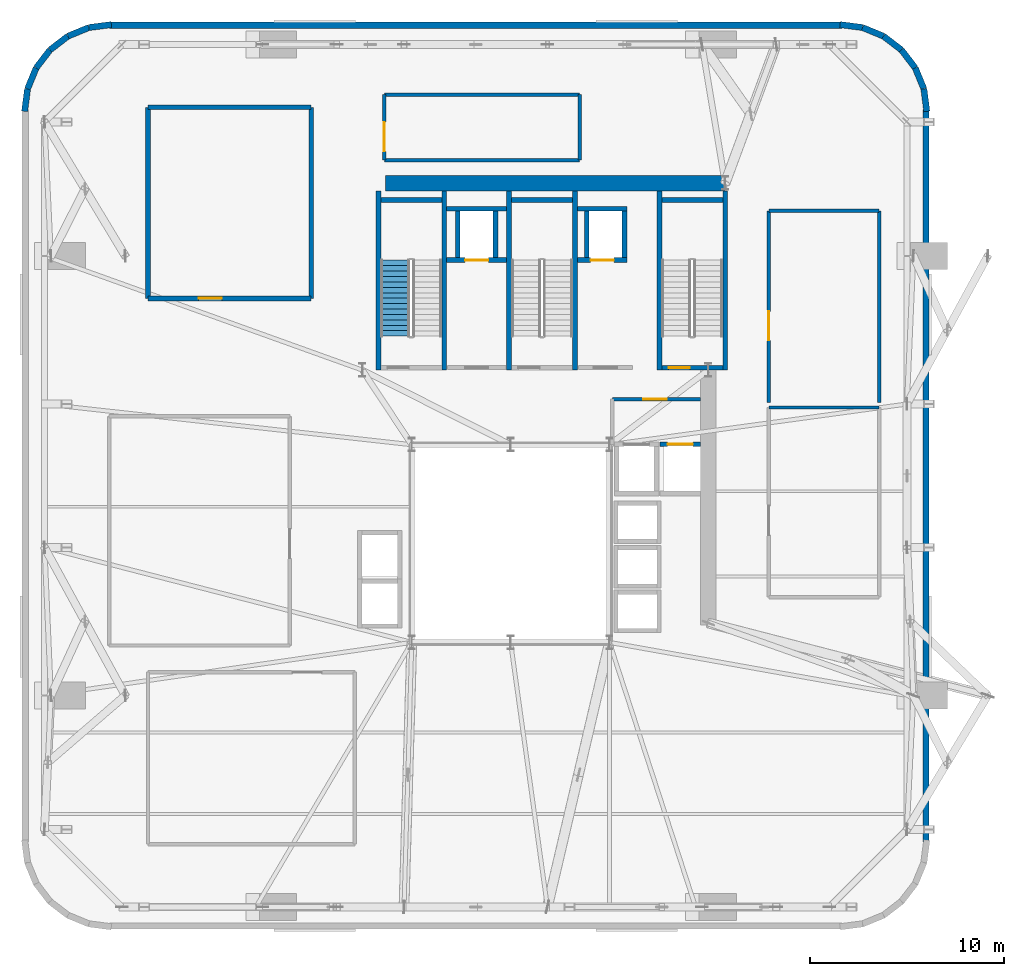
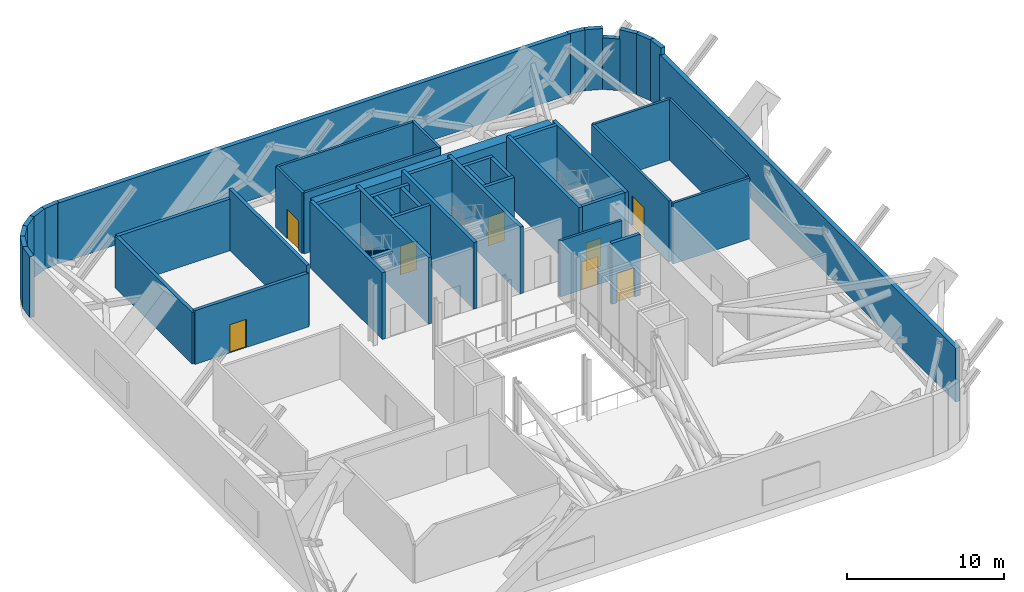
# One storey, part 10 of 14: 47 walls, 8 doors, 1 stair flight, 8 openings, 1 element without a shape of its own.
"""IFC4 building model written with IfcOpenShell, lengths in metres."""

import ifcopenshell
import ifcopenshell.guid

model = None  # the IFC model being written
_history = None  # IfcOwnerHistory: only IFC2X3 demands one
_inside = {}  # id of a spatial element -> (the spatial element, [elements in it])
_under = {}  # id of a project, library or spatial element -> (it, [spatial elements below it])
_declared = {}  # id of a project -> (the project, [libraries it declares])
_typed = {}  # id of a type object -> (the type object, [elements of that type])
_made_of = {}  # id of a material, layer set ... -> (it, [elements and type objects made of it])


def new_model(schema):
    """Start an empty IFC model of exactly this schema.

    Asked for "IFC4X3", IfcOpenShell would pick the latest addendum, in which some entities
    have other attributes; the version numbers below select the first issue.
    IFC2X3 requires an IfcOwnerHistory on every rooted entity: one is made here for all.
    """
    global model, _history
    if schema == "IFC4X3":
        model = ifcopenshell.file(schema_version=(4, 3, 0, 0))
    else:
        model = ifcopenshell.file(schema=schema)
    _inside.clear()
    _under.clear()
    _declared.clear()
    _typed.clear()
    _made_of.clear()
    _history = None
    if model.schema == "IFC2X3":
        org = make("IfcOrganization", Name="unknown")
        user = make(
            "IfcPersonAndOrganization",
            ThePerson=make("IfcPerson", FamilyName="unknown"),
            TheOrganization=org,
        )
        app = make(
            "IfcApplication",
            ApplicationDeveloper=org,
            Version="unknown",
            ApplicationFullName="unknown",
            ApplicationIdentifier="unknown",
        )
        _history = make(
            "IfcOwnerHistory",
            OwningUser=user,
            OwningApplication=app,
            ChangeAction="ADDED",
            CreationDate=0,
        )
    return model


def make(cls, **values):
    """One entity of the class cls with the attributes given. An attribute that is None is left unset."""
    return model.create_entity(
        cls, **{name: value for name, value in values.items() if value is not None}
    )


def rooted(cls, **values):
    """An entity with a GlobalId (a new one), such as an element, a storey or a relation."""
    return make(cls, GlobalId=ifcopenshell.guid.new(), OwnerHistory=_history, **values)


def si_unit(unit_type, name, prefix=None):
    """IfcSIUnit, for example si_unit("LENGTHUNIT", "METRE", prefix="MILLI")."""
    return make("IfcSIUnit", UnitType=unit_type, Prefix=prefix, Name=name)


def assignment(units):
    """IfcUnitAssignment: the units of a project."""
    return None if units is None else make("IfcUnitAssignment", Units=units)


def point(xyz):
    """IfcCartesianPoint."""
    return None if xyz is None else make("IfcCartesianPoint", Coordinates=xyz)


def direction(xyz):
    """IfcDirection."""
    return None if xyz is None else make("IfcDirection", DirectionRatios=xyz)


def frame(location, z_axis=None, x_axis=None):
    """IfcAxis2Placement3D, a coordinate frame: its origin and axes. An axis left out is left unset."""
    return make(
        "IfcAxis2Placement3D",
        Location=point(location),
        Axis=direction(z_axis),
        RefDirection=direction(x_axis),
    )


def frame_2d(location, x_axis=None):
    """IfcAxis2Placement2D, a coordinate frame in the plane: its origin and x axis."""
    return make(
        "IfcAxis2Placement2D", Location=point(location), RefDirection=direction(x_axis)
    )


def origin():
    """The frame at (0, 0, 0) with its axes left unset."""
    return frame((0.0, 0.0, 0.0))


def place(relative_to, where):
    """IfcLocalPlacement: puts the frame where relative to a parent placement (None: the world)."""
    return make(
        "IfcLocalPlacement", PlacementRelTo=relative_to, RelativePlacement=where
    )


def context(
    kind, dimensions, precision=None, world=None, true_north=None, identifier=None
):
    """IfcGeometricRepresentationContext, for example the 3D "Model" context."""
    return make(
        "IfcGeometricRepresentationContext",
        ContextIdentifier=identifier,
        ContextType=kind,
        CoordinateSpaceDimension=dimensions,
        Precision=precision,
        WorldCoordinateSystem=world,
        TrueNorth=true_north,
    )


def subcontext(parent, identifier, kind, view, scale=None):
    """IfcGeometricRepresentationSubContext, for example "Body" below "Model"."""
    return make(
        "IfcGeometricRepresentationSubContext",
        ContextIdentifier=identifier,
        ContextType=kind,
        ParentContext=parent,
        TargetScale=scale,
        TargetView=view,
    )


def project(units=None, contexts=None):
    """IfcProject with its units and contexts."""
    return rooted(
        "IfcProject",
        Name="project",
        RepresentationContexts=contexts,
        UnitsInContext=assignment(units),
    )


def spatial(cls, under=None, at=None, **own):
    """A site, building, storey or space (cls), placed at a placement, below another one or the project."""
    s = rooted(cls, ObjectPlacement=at, **own)
    if under is not None:
        _under.setdefault(under.id(), (under, []))[1].append(s)
    return s


def polyline(points):
    """IfcPolyline through the points."""
    return make("IfcPolyline", Points=[point(p) for p in points])


def profile(cls, at=None, kind="AREA", **sizes):
    """A parametric profile (cls). Its sizes go by their IFC names, for example OverallWidth=200.0."""
    return make(cls, ProfileType=kind, Position=at, **sizes)


def rectangle(**sizes):
    """IfcRectangleProfileDef."""
    return profile("IfcRectangleProfileDef", **sizes)


def outline(outer, holes=None, kind="AREA"):
    """IfcArbitraryClosedProfileDef: a profile drawn as a closed curve; with holes, ...WithVoids."""
    if holes is None:
        return make("IfcArbitraryClosedProfileDef", ProfileType=kind, OuterCurve=outer)
    return make(
        "IfcArbitraryProfileDefWithVoids",
        ProfileType=kind,
        OuterCurve=outer,
        InnerCurves=holes,
    )


def extrude(swept, where, along, depth):
    """IfcExtrudedAreaSolid: the profile swept, set in the frame where, extruded along a direction by depth."""
    return make(
        "IfcExtrudedAreaSolid",
        SweptArea=swept,
        Position=where,
        ExtrudedDirection=direction(along),
        Depth=depth,
    )


def shape(context_of_items, identifier, shape_type, items):
    """IfcShapeRepresentation: the items that make up one representation, for example the "Body"."""
    return make(
        "IfcShapeRepresentation",
        ContextOfItems=context_of_items,
        RepresentationIdentifier=identifier,
        RepresentationType=shape_type,
        Items=items,
    )


def source(mapping_origin, context_of_items, identifier, shape_type, items):
    """IfcRepresentationMap: a shape defined once, which mapped items show again and again."""
    return make(
        "IfcRepresentationMap",
        MappingOrigin=mapping_origin,
        MappedRepresentation=shape(context_of_items, identifier, shape_type, items),
    )


def transform(
    local_origin,
    x_axis=None,
    y_axis=None,
    z_axis=None,
    scale=None,
    scale2=None,
    scale3=None,
    uniform=True,
):
    """IfcCartesianTransformationOperator3D, or its non-uniform kind. x_axis, y_axis, z_axis: its Axis1, 2, 3."""
    if uniform:
        return make(
            "IfcCartesianTransformationOperator3D",
            Axis1=direction(x_axis),
            Axis2=direction(y_axis),
            LocalOrigin=point(local_origin),
            Scale=scale,
            Axis3=direction(z_axis),
        )
    return make(
        "IfcCartesianTransformationOperator3DnonUniform",
        Axis1=direction(x_axis),
        Axis2=direction(y_axis),
        LocalOrigin=point(local_origin),
        Scale=scale,
        Axis3=direction(z_axis),
        Scale2=scale2,
        Scale3=scale3,
    )


def mapped(mapping_source, mapping_target):
    """IfcMappedItem: shows the shape of a source again, moved by a transform."""
    return make(
        "IfcMappedItem", MappingSource=mapping_source, MappingTarget=mapping_target
    )


def material(Name=None, Category=None):
    """IfcMaterial."""
    return make("IfcMaterial", Name=Name, Category=Category)


def layer(
    of_material, thickness, ventilated=None, Name=None, Category=None, Priority=None
):
    """IfcMaterialLayer: one layer of a wall or slab, of a material (None: an air gap)."""
    return make(
        "IfcMaterialLayer",
        Material=of_material,
        LayerThickness=thickness,
        IsVentilated=ventilated,
        Name=Name,
        Category=Category,
        Priority=Priority,
    )


def layer_set(layers, Name=None):
    """IfcMaterialLayerSet."""
    return make("IfcMaterialLayerSet", MaterialLayers=layers, LayerSetName=Name)


def made_of(thing, what):
    """Note that an element or type object is made of a material, layer set ...; save() writes the relation."""
    if what is not None:
        _made_of.setdefault(what.id(), (what, []))[1].append(thing)
    return thing


def type_object(cls, material=None, **own):
    """A type object (cls), such as IfcWallType, which elements share."""
    return made_of(rooted(cls, **own), material)


def element(
    cls,
    number,
    at=None,
    inside=None,
    cuts=None,
    type_object=None,
    material=None,
    context=None,
    identifier="Body",
    shape_type=None,
    held_by="IfcProductDefinitionShape",
    body=None,
    shapes=None,
    **own,
):
    """One element of the class cls, such as IfcWall. Its Tag is "e" and its number.

    at: its placement. inside: the storey or other place that contains it. cuts: it is an
    opening in that element (IfcRelVoidsElement). A single representation is given by context,
    identifier, shape_type and body (its items); several are given by shapes. held_by: the class
    of the entity that holds the representations. save() writes the other relations.
    """
    e = rooted(cls, Tag="e%d" % number, ObjectPlacement=at, **own)
    if body is not None:
        shapes = [shape(context, identifier, shape_type, body)]
    if shapes is not None:
        e.Representation = make(held_by, Representations=shapes)
    if inside is not None:
        _inside.setdefault(inside.id(), (inside, []))[1].append(e)
    if cuts is not None:
        rooted(
            "IfcRelVoidsElement", RelatingBuildingElement=cuts, RelatedOpeningElement=e
        )
    if type_object is not None:
        _typed.setdefault(type_object.id(), (type_object, []))[1].append(e)
    return made_of(e, material)


def fill(opening, filler):
    """IfcRelFillsElement: the door or window that sits in an opening."""
    return rooted(
        "IfcRelFillsElement",
        RelatingOpeningElement=opening,
        RelatedBuildingElement=filler,
    )


def aggregate(whole, parts):
    """IfcRelAggregates: a whole, such as a stair, and the parts it consists of."""
    return rooted("IfcRelAggregates", RelatingObject=whole, RelatedObjects=parts)


def save(model, path):
    """Write the relations noted so far, then the file.

    IfcRelAggregates (storeys below a building ...), IfcRelContainedInSpatialStructure (elements
    in a storey), IfcRelDefinesByType, IfcRelAssociatesMaterial and IfcRelDeclares: one each for
    every whole, place, type object, material and project.
    """
    for whole, parts in _under.values():
        aggregate(whole, parts)
    for where, things in _inside.values():
        rooted(
            "IfcRelContainedInSpatialStructure",
            RelatedElements=things,
            RelatingStructure=where,
        )
    for kind, things in _typed.values():
        rooted("IfcRelDefinesByType", RelatedObjects=things, RelatingType=kind)
    for what, things in _made_of.values():
        rooted("IfcRelAssociatesMaterial", RelatedObjects=things, RelatingMaterial=what)
    for by, libraries in _declared.values():
        rooted("IfcRelDeclares", RelatingContext=by, RelatedDefinitions=libraries)
    model.write(path)


model = new_model("IFC4")

# Units and contexts
model_context = context("Model", 3, precision=1e-05, world=origin(), true_north=direction((0.0, 1.0)))
body_context = subcontext(model_context, "Body", "Model", "MODEL_VIEW")
ifc_project = project(units=[si_unit("LENGTHUNIT", "METRE"), si_unit("AREAUNIT", "SQUARE_METRE"), si_unit("VOLUMEUNIT", "CUBIC_METRE"), si_unit("PLANEANGLEUNIT", "RADIAN"), si_unit("MASSUNIT", "GRAM", prefix="KILO")], contexts=[model_context])

# Site, building, storey
site_placement = place(None, origin())
site = spatial("IfcSite", under=ifc_project, at=site_placement, CompositionType="ELEMENT")
building_placement = place(site_placement, origin())
building = spatial("IfcBuilding", under=site, at=building_placement, Name="Vardaveli Station Tower", CompositionType="ELEMENT")
storey_placement = place(building_placement, frame((0.0, 0.0, 237.300048828125)))
storey = spatial("IfcBuildingStorey", under=building, at=storey_placement, Name="L61", CompositionType="ELEMENT", Elevation=237.300048828125)

# Walls
ifc_material_1 = material(Name="Concrete C50/60", Category="concrete")
ifc_layer_1 = layer(ifc_material_1, 0.800048828125, Name="Concrete C50/60")
ifc_layer_set_1 = layer_set([ifc_layer_1], Name="Concrete C50/60")
wall_type_1 = type_object("IfcWallType", Name="WAL-CORE-800", PredefinedType="SHEAR", material=ifc_layer_set_1)
shared_shape_1 = source(origin(), body_context, "Body", "SweptSolid", [
    extrude(rectangle(XDim=17.52001953125, YDim=0.800048828125, at=frame_2d((8.760009765625, 0.0))), origin(), (0.0, 0.0, 1.0), 4.75),
])
wall_1_placement = place(storey_placement, frame((29.85009765625, 40.300048828125, 0.0), z_axis=(0.0, 0.0, 1.0), x_axis=(1.0, 0.0, 0.0)))
element("IfcWall", 1, at=wall_1_placement, inside=storey, type_object=wall_type_1, Name="SW-L61-NORTH", PredefinedType="SHEAR", context=body_context, shape_type="MappedRepresentation", body=[
    mapped(shared_shape_1, transform((0.0, 0.0, 0.0), scale=1.0)),
])
ifc_material_2 = material(Name="Precast concrete C45/55", Category="concrete")
ifc_layer_2 = layer(ifc_material_2, 0.320068359375, Name="Precast concrete C45/55")
ifc_layer_set_2 = layer_set([ifc_layer_2], Name="Precast concrete C45/55")
wall_type_2 = type_object("IfcWallType", Name="WAL-EXT-STONE-320", PredefinedType="SOLIDWALL", material=ifc_layer_set_2)
shared_shape_2 = source(origin(), body_context, "Body", "SweptSolid", [
    extrude(rectangle(XDim=37.7998046875, YDim=0.320068359375, at=frame_2d((18.89990234375, 0.0))), origin(), (0.0, 0.0, 1.0), 4.75),
])
wall_2_placement = place(storey_placement, frame((53.39990234375, 48.43994140625, 0.0), z_axis=(0.0, 0.0, 1.0), x_axis=(-1.0, 0.0, 0.0)))
element("IfcWall", 2, at=wall_2_placement, inside=storey, type_object=wall_type_2, Name="EW-L61-N", PredefinedType="SOLIDWALL", context=body_context, shape_type="MappedRepresentation", body=[
    mapped(shared_shape_2, transform((0.0, 0.0, 0.0), scale=1.0)),
])
shared_shape_3 = source(origin(), body_context, "Body", "SweptSolid", [
    extrude(rectangle(XDim=1.1689453125, YDim=0.320068359375, at=frame_2d((0.58447265625, 0.0))), origin(), (0.0, 0.0, 1.0), 4.75),
])
for number, where, z_axis, x_axis, name in (
    (3, (57.179931640625, 46.2412109375, 0.0), (0.0, 0.0, 1.0), (-0.608387696831, 0.793639975269, 0.0), "EW-L61-CR3-3"),
    (4, (12.53125, 47.1689453125, 0.0), (0.0, 0.0, 1.0), (-0.608387696831, -0.793639975269, 0.0), "EW-L61-CR4-4"),
):
    element("IfcWall", number, at=place(storey_placement, frame(where, z_axis=z_axis, x_axis=x_axis)), inside=storey, type_object=wall_type_2, Name=name, PredefinedType="SOLIDWALL", context=body_context, shape_type="MappedRepresentation", body=[
        mapped(shared_shape_3, transform((0.0, 0.0, 0.0), scale=1.0)),
    ])
shared_shape_4 = source(origin(), body_context, "Body", "SweptSolid", [
    extrude(rectangle(XDim=1.168701171875, YDim=0.320068359375, at=frame_2d((0.58447265625, 0.0))), origin(), (0.0, 0.0, 1.0), 4.75),
])
wall_3_placement = place(storey_placement, frame((13.458740234375, 47.8798828125, 0.0), z_axis=(0.0, 0.0, 1.0), x_axis=(-0.793663520347, -0.608356981114, 0.0)))
element("IfcWall", 5, at=wall_3_placement, inside=storey, type_object=wall_type_2, Name="EW-L61-CR4-3", PredefinedType="SOLIDWALL", context=body_context, shape_type="MappedRepresentation", body=[
    mapped(shared_shape_4, transform((0.0, 0.0, 0.0), scale=1.0)),
])
shared_shape_5 = source(origin(), body_context, "Body", "SweptSolid", [
    extrude(rectangle(XDim=1.168701171875, YDim=0.320068359375, at=frame_2d((0.58447265625, 0.0))), origin(), (0.0, 0.0, 1.0), 4.029052734375),
])
wall_4_placement = place(storey_placement, frame((56.46875, 47.1689453125, 0.0), z_axis=(0.0, 0.0, 1.0), x_axis=(-0.793663520347, 0.608356981114, 0.0)))
element("IfcWall", 6, at=wall_4_placement, inside=storey, type_object=wall_type_2, Name="EW-L61-CR3-4", PredefinedType="SOLIDWALL", context=body_context, shape_type="MappedRepresentation", body=[
    mapped(shared_shape_5, transform((0.0, 0.0, 0.0), scale=1.0)),
])
shared_shape_6 = source(origin(), body_context, "Body", "SweptSolid", [
    extrude(rectangle(XDim=1.17041015625, YDim=0.320068359375, at=frame_2d((0.585205078125, 0.0))), origin(), (0.0, 0.0, 1.0), 4.75),
])
for number, where, z_axis, x_axis, name in (
    (7, (57.775634765625, 43.99951171875, 0.0), (0.0, 0.0, 1.0), (-0.128295670475, 0.991735963317, 0.0), "EW-L61-CR3-1"),
    (8, (54.460205078125, 48.325439453125, 0.0), (0.0, 0.0, 1.0), (-0.991735963317, 0.128295670475, 0.0), "EW-L61-CR3-6"),
    (9, (15.700439453125, 48.4755859375, 0.0), (0.0, 0.0, 1.0), (-0.991735963317, -0.128295670475, 0.0), "EW-L61-CR4-1"),
    (10, (11.37451171875, 45.16015625, 0.0), (0.0, 0.0, 1.0), (-0.128295670475, -0.991735963317, 0.0), "EW-L61-CR4-6"),
):
    element("IfcWall", number, at=place(storey_placement, frame(where, z_axis=z_axis, x_axis=x_axis)), inside=storey, type_object=wall_type_2, Name=name, PredefinedType="SOLIDWALL", context=body_context, shape_type="MappedRepresentation", body=[
        mapped(shared_shape_6, transform((0.0, 0.0, 0.0), scale=1.0)),
    ])
shared_shape_7 = source(origin(), body_context, "Body", "SweptSolid", [
    extrude(rectangle(XDim=1.169189453125, YDim=0.320068359375, at=frame_2d((0.58447265625, 0.0))), origin(), (0.0, 0.0, 1.0), 4.75),
])
for number, where, z_axis, x_axis, name in (
    (11, (57.62548828125, 45.16015625, 0.0), (0.0, 0.0, 1.0), (-0.381054331552, 0.924552646638, 0.0), "EW-L61-CR3-2"),
    (12, (55.541259765625, 47.8798828125, 0.0), (0.0, 0.0, 1.0), (-0.924552646638, 0.381054331552, 0.0), "EW-L61-CR3-5"),
    (13, (14.539794921875, 48.325439453125, 0.0), (0.0, 0.0, 1.0), (-0.924552646638, -0.381054331552, 0.0), "EW-L61-CR4-2"),
    (14, (11.820068359375, 46.2412109375, 0.0), (0.0, 0.0, 1.0), (-0.381054331552, -0.924552646638, 0.0), "EW-L61-CR4-5"),
):
    element("IfcWall", number, at=place(storey_placement, frame(where, z_axis=z_axis, x_axis=x_axis)), inside=storey, type_object=wall_type_2, Name=name, PredefinedType="SOLIDWALL", context=body_context, shape_type="MappedRepresentation", body=[
        mapped(shared_shape_7, transform((0.0, 0.0, 0.0), scale=1.0)),
    ])
shared_shape_8 = source(origin(), body_context, "Body", "SweptSolid", [
    extrude(rectangle(XDim=37.800048828125, YDim=0.320068359375, at=frame_2d((18.89990234375, 0.0))), origin(), (0.0, 0.0, 1.0), 4.195068359375),
])
wall_5_placement = place(storey_placement, frame((57.739990234375, 6.300048828125, 0.0), z_axis=(0.0, 0.0, 1.0), x_axis=(0.0, 1.0, 0.0)))
element("IfcWall", 15, at=wall_5_placement, inside=storey, type_object=wall_type_2, Name="EW-L61-E", PredefinedType="SOLIDWALL", context=body_context, shape_type="MappedRepresentation", body=[
    mapped(shared_shape_8, transform((0.0, 0.0, 0.0), scale=1.0)),
])
ifc_material_3 = material(Name="Concrete C40/50", Category="concrete")
ifc_layer_3 = layer(ifc_material_3, 0.25, Name="Concrete C40/50")
ifc_layer_set_3 = layer_set([ifc_layer_3], Name="Concrete C40/50")
wall_type_3 = type_object("IfcWallType", Name="WAL-SHAFT-250", PredefinedType="SOLIDWALL", material=ifc_layer_set_3)
shared_shape_9 = source(origin(), body_context, "Body", "SweptSolid", [
    extrude(rectangle(XDim=3.14990234375, YDim=0.25, at=frame_2d((1.574951171875, 0.0))), origin(), (0.0, 0.0, 1.0), 5.199951171875),
])
for number, where, z_axis, x_axis, name in (
    (16, (29.60009765625, 39.425048828125, 0.0), (0.0, 0.0, 1.0), (1.0, 0.0, 0.0), "W-L61-ST-1N"),
    (17, (36.35009765625, 39.425048828125, 0.0), (0.0, 0.0, 1.0), (1.0, 0.0, 0.0), "W-L61-ST-2N"),
    (18, (44.10009765625, 39.425048828125, 0.0), (0.0, 0.0, 1.0), (1.0, 0.0, 0.0), "W-L61-ST-3N"),
):
    element("IfcWall", number, at=place(storey_placement, frame(where, z_axis=z_axis, x_axis=x_axis)), inside=storey, type_object=wall_type_3, Name=name, PredefinedType="SOLIDWALL", context=body_context, shape_type="MappedRepresentation", body=[
        mapped(shared_shape_9, transform((0.0, 0.0, 0.0), scale=1.0)),
    ])

# Wall, opening, door
wall_6_placement = place(storey_placement, frame((44.10009765625, 30.77490234375, 0.0), z_axis=(0.0, 0.0, 1.0), x_axis=(1.0, 0.0, 0.0)))
wall_6 = element("IfcWall", 19, at=wall_6_placement, inside=storey, type_object=wall_type_3, Name="W-L61-ST-3S", PredefinedType="SOLIDWALL", context=body_context, shape_type="MappedRepresentation", body=[
    mapped(shared_shape_9, transform((0.0, 0.0, 0.0), scale=1.0)),
])
shared_shape_10 = source(origin(), body_context, "Body", "SweptSolid", [
    extrude(rectangle(XDim=1.10009765625, YDim=2.199951171875, at=frame_2d((0.550048828125, 1.10009765625))), frame((0.0, 0.135009765625, 0.0), z_axis=(0.0, -1.0, 0.0), x_axis=(1.0, 0.0, 0.0)), (0.0, 0.0, 1.0), 0.27001953125),
])
opening_1_placement = place(wall_6_placement, frame((0.35009765625, 0.0, 0.0)))
opening_1 = element("IfcOpeningElement", 20, at=opening_1_placement, cuts=wall_6, Name="Opening D-04", PredefinedType="OPENING", context=body_context, shape_type="MappedRepresentation", body=[
    mapped(shared_shape_10, transform((0.0, 0.0, 0.0), scale=1.0)),
])
ifc_material_4 = material(Name="Steel smokeproof fire doorset", Category="steel")
door_type_1 = type_object("IfcDoorType", Name="DR-ST-1100x2200", OperationType="NOTDEFINED", PredefinedType="DOOR", material=ifc_material_4)
shared_shape_11 = source(origin(), body_context, "Body", "SweptSolid", [
    extrude(rectangle(XDim=1.10009765625, YDim=2.199951171875, at=frame_2d((0.550048828125, 1.10009765625))), frame((0.0, 0.02490234375, 0.0), z_axis=(0.0, -1.0, 0.0), x_axis=(1.0, 0.0, 0.0)), (0.0, 0.0, 1.0), 0.050048828125),
])
door_1_placement = place(opening_1_placement, origin())
door_1 = element("IfcDoor", 21, at=door_1_placement, inside=storey, type_object=door_type_1, Name="DST-3-L61", OperationType="SINGLE_SWING_LEFT", OverallHeight=2.199951171875, OverallWidth=1.10009765625, PredefinedType="DOOR", context=body_context, shape_type="MappedRepresentation", body=[
    mapped(shared_shape_11, transform((0.0, 0.0, 0.0), scale=1.0)),
])
fill(opening_1, door_1)

# Walls
shared_shape_12 = source(origin(), body_context, "Body", "SweptSolid", [
    extrude(rectangle(XDim=9.25, YDim=0.25, at=frame_2d((4.625, 0.0))), origin(), (0.0, 0.0, 1.0), 5.199951171875),
])
for number, where, z_axis, x_axis, name in (
    (22, (29.47509765625, 30.64990234375, 0.0), (0.0, 0.0, 1.0), (0.0, 1.0, 0.0), "W-L61-ST-1W"),
    (23, (32.875, 30.64990234375, 0.0), (0.0, 0.0, 1.0), (0.0, 1.0, 0.0), "W-L61-ST-1E"),
    (24, (36.22509765625, 30.64990234375, 0.0), (0.0, 0.0, 1.0), (0.0, 1.0, 0.0), "W-L61-ST-2W"),
    (25, (39.625, 30.64990234375, 0.0), (0.0, 0.0, 1.0), (0.0, 1.0, 0.0), "W-L61-ST-2E"),
    (26, (43.97509765625, 30.64990234375, 0.0), (0.0, 0.0, 1.0), (0.0, 1.0, 0.0), "W-L61-ST-3W"),
    (27, (47.375, 30.64990234375, 0.0), (0.0, 0.0, 1.0), (0.0, 1.0, 0.0), "W-L61-ST-3E"),
):
    element("IfcWall", number, at=place(storey_placement, frame(where, z_axis=z_axis, x_axis=x_axis)), inside=storey, type_object=wall_type_3, Name=name, PredefinedType="SOLIDWALL", context=body_context, shape_type="MappedRepresentation", body=[
        mapped(shared_shape_12, transform((0.0, 0.0, 0.0), scale=1.0)),
    ])

# Wall, opening, door
shared_shape_13 = source(origin(), body_context, "Body", "SweptSolid", [
    extrude(rectangle(XDim=3.10009765625, YDim=0.25, at=frame_2d((1.550048828125, 0.0))), origin(), (0.0, 0.0, 1.0), 4.75),
])
wall_7_placement = place(storey_placement, frame((33.0, 36.324951171875, 0.0), z_axis=(0.0, 0.0, 1.0), x_axis=(1.0, 0.0, 0.0)))
wall_7 = element("IfcWall", 28, at=wall_7_placement, inside=storey, type_object=wall_type_3, Name="SHW-FFL-01-L61-S", PredefinedType="SOLIDWALL", context=body_context, shape_type="MappedRepresentation", body=[
    mapped(shared_shape_13, transform((0.0, 0.0, 0.0), scale=1.0)),
])
shared_shape_14 = source(origin(), body_context, "Body", "SweptSolid", [
    extrude(rectangle(XDim=1.199951171875, YDim=2.25, at=frame_2d((0.60009765625, 1.125))), frame((0.0, 0.135009765625, 0.0), z_axis=(0.0, -1.0, 0.0), x_axis=(1.0, 0.0, 0.0)), (0.0, 0.0, 1.0), 0.27001953125),
])
opening_2_placement = place(wall_7_placement, frame((0.949951171875, 0.0, 0.0)))
opening_2 = element("IfcOpeningElement", 29, at=opening_2_placement, cuts=wall_7, Name="Opening LD-02", PredefinedType="OPENING", context=body_context, shape_type="MappedRepresentation", body=[
    mapped(shared_shape_14, transform((0.0, 0.0, 0.0), scale=1.0)),
])
ifc_material_5 = material(Name="Brushed stainless steel", Category="steel")
door_type_2 = type_object("IfcDoorType", Name="DR-LD-1200x2250", OperationType="DOUBLE_DOOR_SLIDING", PredefinedType="DOOR", material=ifc_material_5)
shared_shape_15 = source(origin(), body_context, "Body", "SweptSolid", [
    extrude(rectangle(XDim=1.199951171875, YDim=2.25, at=frame_2d((0.60009765625, 1.125))), frame((0.0, 0.02490234375, 0.0), z_axis=(0.0, -1.0, 0.0), x_axis=(1.0, 0.0, 0.0)), (0.0, 0.0, 1.0), 0.050048828125),
])
door_2_placement = place(opening_2_placement, origin())
door_2 = element("IfcDoor", 30, at=door_2_placement, inside=storey, type_object=door_type_2, Name="LD-FFL-01-L61", OperationType="DOUBLE_DOOR_SLIDING", OverallHeight=2.25, OverallWidth=1.199951171875, PredefinedType="DOOR", context=body_context, shape_type="MappedRepresentation", body=[
    mapped(shared_shape_15, transform((0.0, 0.0, 0.0), scale=1.0)),
])
fill(opening_2, door_2)

# Walls
wall_8_placement = place(storey_placement, frame((33.0, 38.97509765625, 0.0), z_axis=(0.0, 0.0, 1.0), x_axis=(1.0, 0.0, 0.0)))
element("IfcWall", 31, at=wall_8_placement, inside=storey, type_object=wall_type_3, Name="SHW-FFL-01-L61-N", PredefinedType="SOLIDWALL", context=body_context, shape_type="MappedRepresentation", body=[
    mapped(shared_shape_13, transform((0.0, 0.0, 0.0), scale=1.0)),
])
shared_shape_16 = source(origin(), body_context, "Body", "SweptSolid", [
    extrude(rectangle(XDim=2.400146484375, YDim=0.25, at=frame_2d((1.2001953125, 0.0))), origin(), (0.0, 0.0, 1.0), 4.75),
])
for number, where, z_axis, x_axis, name in (
    (32, (33.574951171875, 36.449951171875, 0.0), (0.0, 0.0, 1.0), (0.0, 1.0, 0.0), "SHW-FFL-01-L61-W"),
    (33, (35.52490234375, 36.449951171875, 0.0), (0.0, 0.0, 1.0), (0.0, 1.0, 0.0), "SHW-FFL-01-L61-E"),
    (34, (40.22509765625, 36.449951171875, 0.0), (0.0, 0.0, 1.0), (0.0, 1.0, 0.0), "SHW-FFL-02-L61-W"),
    (35, (42.175048828125, 36.449951171875, 0.0), (0.0, 0.0, 1.0), (0.0, 1.0, 0.0), "SHW-FFL-02-L61-E"),
):
    element("IfcWall", number, at=place(storey_placement, frame(where, z_axis=z_axis, x_axis=x_axis)), inside=storey, type_object=wall_type_3, Name=name, PredefinedType="SOLIDWALL", context=body_context, shape_type="MappedRepresentation", body=[
        mapped(shared_shape_16, transform((0.0, 0.0, 0.0), scale=1.0)),
    ])

# Wall, opening, door
shared_shape_17 = source(origin(), body_context, "Body", "SweptSolid", [
    extrude(rectangle(XDim=2.550048828125, YDim=0.25, at=frame_2d((1.27490234375, 0.0))), origin(), (0.0, 0.0, 1.0), 4.75),
])
wall_9_placement = place(storey_placement, frame((39.75, 36.324951171875, 0.0), z_axis=(0.0, 0.0, 1.0), x_axis=(1.0, 0.0, 0.0)))
wall_9 = element("IfcWall", 36, at=wall_9_placement, inside=storey, type_object=wall_type_3, Name="SHW-FFL-02-L61-S", PredefinedType="SOLIDWALL", context=body_context, shape_type="MappedRepresentation", body=[
    mapped(shared_shape_17, transform((0.0, 0.0, 0.0), scale=1.0)),
])
opening_3_placement = place(wall_9_placement, frame((0.675048828125, 0.0, 0.0)))
opening_3 = element("IfcOpeningElement", 37, at=opening_3_placement, cuts=wall_9, Name="Opening LD-02", PredefinedType="OPENING", context=body_context, shape_type="MappedRepresentation", body=[
    mapped(shared_shape_14, transform((0.0, 0.0, 0.0), scale=1.0)),
])
door_3_placement = place(opening_3_placement, origin())
door_3 = element("IfcDoor", 38, at=door_3_placement, inside=storey, type_object=door_type_2, Name="LD-FFL-02-L61", OperationType="DOUBLE_DOOR_SLIDING", OverallHeight=2.25, OverallWidth=1.199951171875, PredefinedType="DOOR", context=body_context, shape_type="MappedRepresentation", body=[
    mapped(shared_shape_15, transform((0.0, 0.0, 0.0), scale=1.0)),
])
fill(opening_3, door_3)

# Wall
wall_10_placement = place(storey_placement, frame((39.75, 38.97509765625, 0.0), z_axis=(0.0, 0.0, 1.0), x_axis=(1.0, 0.0, 0.0)))
element("IfcWall", 39, at=wall_10_placement, inside=storey, type_object=wall_type_3, Name="SHW-FFL-02-L61-N", PredefinedType="SOLIDWALL", context=body_context, shape_type="MappedRepresentation", body=[
    mapped(shared_shape_17, transform((0.0, 0.0, 0.0), scale=1.0)),
])

# Wall, opening, door
shared_shape_18 = source(origin(), body_context, "Body", "SweptSolid", [
    extrude(rectangle(XDim=2.10009765625, YDim=0.25, at=frame_2d((1.050048828125, 0.0))), origin(), (0.0, 0.0, 1.0), 4.75),
])
wall_11_placement = place(storey_placement, frame((44.0, 26.824951171875, 0.0), z_axis=(0.0, 0.0, 1.0), x_axis=(1.0, 0.0, 0.0)))
wall_11 = element("IfcWall", 40, at=wall_11_placement, inside=storey, type_object=wall_type_3, Name="SHW-SRV-02-L61-N", PredefinedType="SOLIDWALL", context=body_context, shape_type="MappedRepresentation", body=[
    mapped(shared_shape_18, transform((0.0, 0.0, 0.0), scale=1.0)),
])
shared_shape_19 = source(origin(), body_context, "Body", "SweptSolid", [
    extrude(rectangle(XDim=1.300048828125, YDim=2.300048828125, at=frame_2d((0.64990234375, 1.14990234375))), frame((0.0, 0.135009765625, 0.0), z_axis=(0.0, -1.0, 0.0), x_axis=(1.0, 0.0, 0.0)), (0.0, 0.0, 1.0), 0.27001953125),
])
opening_4_placement = place(wall_11_placement, frame((0.39990234375, 0.0, 0.0)))
opening_4 = element("IfcOpeningElement", 41, at=opening_4_placement, cuts=wall_11, Name="Opening LD-03", PredefinedType="OPENING", context=body_context, shape_type="MappedRepresentation", body=[
    mapped(shared_shape_19, transform((0.0, 0.0, 0.0), scale=1.0)),
])
door_type_3 = type_object("IfcDoorType", Name="DR-LD-1300x2300", OperationType="DOUBLE_DOOR_SLIDING", PredefinedType="DOOR", material=ifc_material_5)
shared_shape_20 = source(origin(), body_context, "Body", "SweptSolid", [
    extrude(rectangle(XDim=1.300048828125, YDim=2.300048828125, at=frame_2d((0.64990234375, 1.14990234375))), frame((0.0, 0.02490234375, 0.0), z_axis=(0.0, -1.0, 0.0), x_axis=(1.0, 0.0, 0.0)), (0.0, 0.0, 1.0), 0.050048828125),
])
door_4_placement = place(opening_4_placement, origin())
door_4 = element("IfcDoor", 42, at=door_4_placement, inside=storey, type_object=door_type_3, Name="LD-SRV-02-L61", OperationType="DOUBLE_DOOR_SLIDING", OverallHeight=2.300048828125, OverallWidth=1.300048828125, PredefinedType="DOOR", context=body_context, shape_type="MappedRepresentation", body=[
    mapped(shared_shape_20, transform((0.0, 0.0, 0.0), scale=1.0)),
])
fill(opening_4, door_4)

ifc_material_6 = material(Name="Fire-rated gypsum stud partition")
ifc_layer_4 = layer(ifc_material_6, 0.179931640625, Name="Fire-rated gypsum stud partition")
ifc_layer_set_4 = layer_set([ifc_layer_4], Name="Fire-rated gypsum stud partition")
wall_type_4 = type_object("IfcWallType", Name="WAL-CORR-180", PredefinedType="PARTITIONING", material=ifc_layer_set_4)
shared_shape_21 = source(origin(), body_context, "Body", "SweptSolid", [
    extrude(rectangle(XDim=3.3701171875, YDim=0.179931640625, at=frame_2d((1.68505859375, 0.0))), origin(), (0.0, 0.0, 1.0), 4.75),
])
wall_12_placement = place(storey_placement, frame((29.7900390625, 41.489990234375, 0.0), z_axis=(0.0, 0.0, 1.0), x_axis=(0.0, 1.0, 0.0)))
wall_12 = element("IfcWall", 43, at=wall_12_placement, inside=storey, type_object=wall_type_4, Name="W-L61-PL2-W", PredefinedType="PARTITIONING", context=body_context, shape_type="MappedRepresentation", body=[
    mapped(shared_shape_21, transform((0.0, 0.0, 0.0), scale=1.0)),
])
shared_shape_22 = source(origin(), body_context, "Body", "SweptSolid", [
    extrude(rectangle(XDim=1.5, YDim=2.300048828125, at=frame_2d((0.75, 1.14990234375))), frame((0.0, 0.10009765625, 0.0), z_axis=(0.0, -1.0, 0.0), x_axis=(1.0, 0.0, 0.0)), (0.0, 0.0, 1.0), 0.199951171875),
])
opening_5_placement = place(wall_12_placement, frame((0.449951171875, 0.0, 0.0)))
opening_5 = element("IfcOpeningElement", 44, at=opening_5_placement, cuts=wall_12, Name="Opening D-02", PredefinedType="OPENING", context=body_context, shape_type="MappedRepresentation", body=[
    mapped(shared_shape_22, transform((0.0, 0.0, 0.0), scale=1.0)),
])
ifc_material_7 = material(Name="Galvanised steel acoustic doorset", Category="steel")
door_type_4 = type_object("IfcDoorType", Name="DR-PLANT-1500x2300", OperationType="DOUBLE_DOOR_SINGLE_SWING", PredefinedType="DOOR", material=ifc_material_7)
shared_shape_23 = source(origin(), body_context, "Body", "SweptSolid", [
    extrude(rectangle(XDim=1.5, YDim=2.300048828125, at=frame_2d((0.75, 1.14990234375))), frame((0.0, 0.02490234375, 0.0), z_axis=(0.0, -1.0, 0.0), x_axis=(1.0, 0.0, 0.0)), (0.0, 0.0, 1.0), 0.050048828125),
])
door_5_placement = place(opening_5_placement, origin())
door_5 = element("IfcDoor", 45, at=door_5_placement, inside=storey, type_object=door_type_4, Name="D-L61-P2", OperationType="DOUBLE_DOOR_SINGLE_SWING", OverallHeight=2.300048828125, OverallWidth=1.5, PredefinedType="DOOR", context=body_context, shape_type="MappedRepresentation", body=[
    mapped(shared_shape_23, transform((0.0, 0.0, 0.0), scale=1.0)),
])
fill(opening_5, door_5)

# Walls
wall_13_placement = place(storey_placement, frame((39.860107421875, 41.489990234375, 0.0), z_axis=(0.0, 0.0, 1.0), x_axis=(0.0, 1.0, 0.0)))
element("IfcWall", 46, at=wall_13_placement, inside=storey, type_object=wall_type_4, Name="W-L61-PL2-E", PredefinedType="PARTITIONING", context=body_context, shape_type="MappedRepresentation", body=[
    mapped(shared_shape_21, transform((0.0, 0.0, 0.0), scale=1.0)),
])
shared_shape_24 = source(origin(), body_context, "Body", "SweptSolid", [
    extrude(rectangle(XDim=10.070068359375, YDim=0.179931640625, at=frame_2d((5.03515625, 0.0))), origin(), (0.0, 0.0, 1.0), 4.75),
])
for number, where, z_axis, x_axis, name in (
    (47, (29.7900390625, 41.489990234375, 0.0), (0.0, 0.0, 1.0), (1.0, 0.0, 0.0), "W-L61-PL2-S"),
    (48, (29.7900390625, 44.860107421875, 0.0), (0.0, 0.0, 1.0), (1.0, 0.0, 0.0), "W-L61-PL2-N"),
):
    element("IfcWall", number, at=place(storey_placement, frame(where, z_axis=z_axis, x_axis=x_axis)), inside=storey, type_object=wall_type_4, Name=name, PredefinedType="PARTITIONING", context=body_context, shape_type="MappedRepresentation", body=[
        mapped(shared_shape_24, transform((0.0, 0.0, 0.0), scale=1.0)),
    ])
shared_shape_25 = source(origin(), body_context, "Body", "SweptSolid", [
    extrude(rectangle(XDim=9.85986328125, YDim=0.25, at=frame_2d((4.929931640625, 0.0))), origin(), (0.0, 0.0, 1.0), 4.02587890625),
])
wall_14_placement = place(storey_placement, frame((17.590087890625, 34.35009765625, 0.0), z_axis=(0.0, 0.0, 1.0), x_axis=(0.0, 1.0, 0.0)))
element("IfcWall", 49, at=wall_14_placement, inside=storey, type_object=wall_type_3, Name="W-L61-REF-W", PredefinedType="SOLIDWALL", context=body_context, shape_type="MappedRepresentation", body=[
    mapped(shared_shape_25, transform((0.0, 0.0, 0.0), scale=1.0)),
])

# Wall, opening, door
shared_shape_26 = source(origin(), body_context, "Body", "SweptSolid", [
    extrude(rectangle(XDim=4.5478515625, YDim=0.179931640625, at=frame_2d((2.27392578125, 0.0))), origin(), (0.0, 0.0, 1.0), 4.3818359375),
])
wall_15_placement = place(storey_placement, frame((41.550048828125, 29.14990234375, 0.0), z_axis=(0.0, 0.0, 1.0), x_axis=(1.0, 0.0, 0.0)))
wall_15 = element("IfcWall", 50, at=wall_15_placement, inside=storey, type_object=wall_type_4, Name="W-L61-SVFN", PredefinedType="PARTITIONING", context=body_context, shape_type="MappedRepresentation", body=[
    mapped(shared_shape_26, transform((0.0, 0.0, 0.0), scale=1.0)),
])
shared_shape_27 = source(origin(), body_context, "Body", "SweptSolid", [
    extrude(rectangle(XDim=1.199951171875, YDim=2.199951171875, at=frame_2d((0.60009765625, 1.10009765625))), frame((0.0, 0.10009765625, 0.0), z_axis=(0.0, -1.0, 0.0), x_axis=(1.0, 0.0, 0.0)), (0.0, 0.0, 1.0), 0.199951171875),
])
opening_6_placement = place(wall_15_placement, frame((1.60009765625, 0.0, 0.0)))
opening_6 = element("IfcOpeningElement", 51, at=opening_6_placement, cuts=wall_15, Name="Opening D-03", PredefinedType="OPENING", context=body_context, shape_type="MappedRepresentation", body=[
    mapped(shared_shape_27, transform((0.0, 0.0, 0.0), scale=1.0)),
])
door_type_5 = type_object("IfcDoorType", Name="DR-FFL-1200x2200", OperationType="NOTDEFINED", PredefinedType="DOOR", material=ifc_material_4)
shared_shape_28 = source(origin(), body_context, "Body", "SweptSolid", [
    extrude(rectangle(XDim=1.199951171875, YDim=2.199951171875, at=frame_2d((0.60009765625, 1.10009765625))), frame((0.0, 0.02490234375, 0.0), z_axis=(0.0, -1.0, 0.0), x_axis=(1.0, 0.0, 0.0)), (0.0, 0.0, 1.0), 0.050048828125),
])
door_6_placement = place(opening_6_placement, origin())
door_6 = element("IfcDoor", 52, at=door_6_placement, inside=storey, type_object=door_type_5, Name="D-L61-SVF", OperationType="SINGLE_SWING_RIGHT", OverallHeight=2.199951171875, OverallWidth=1.199951171875, PredefinedType="DOOR", context=body_context, shape_type="MappedRepresentation", body=[
    mapped(shared_shape_28, transform((0.0, 0.0, 0.0), scale=1.0)),
])
fill(opening_6, door_6)

# Wall
shared_shape_29 = source(origin(), body_context, "Body", "SweptSolid", [
    extrude(rectangle(XDim=9.85986328125, YDim=0.25, at=frame_2d((4.929931640625, 0.0))), origin(), (0.0, 0.0, 1.0), 4.75),
])
wall_16_placement = place(storey_placement, frame((26.010009765625, 34.35009765625, 0.0), z_axis=(0.0, 0.0, 1.0), x_axis=(0.0, 1.0, 0.0)))
element("IfcWall", 53, at=wall_16_placement, inside=storey, type_object=wall_type_3, Name="W-L61-REF-E", PredefinedType="SOLIDWALL", context=body_context, shape_type="MappedRepresentation", body=[
    mapped(shared_shape_29, transform((0.0, 0.0, 0.0), scale=1.0)),
])

# Wall, opening, door
shared_shape_30 = source(origin(), body_context, "Body", "SweptSolid", [
    extrude(rectangle(XDim=9.880126953125, YDim=0.179931640625, at=frame_2d((4.93994140625, 0.0))), origin(), (0.0, 0.0, 1.0), 4.75),
])
wall_17_placement = place(storey_placement, frame((49.6201171875, 28.97998046875, 0.0), z_axis=(0.0, 0.0, 1.0), x_axis=(0.0, 1.0, 0.0)))
wall_17 = element("IfcWall", 54, at=wall_17_placement, inside=storey, type_object=wall_type_4, Name="W-L61-PL5-W", PredefinedType="PARTITIONING", context=body_context, shape_type="MappedRepresentation", body=[
    mapped(shared_shape_30, transform((0.0, 0.0, 0.0), scale=1.0)),
])
opening_7_placement = place(wall_17_placement, frame((3.199951171875, 0.0, 0.0)))
opening_7 = element("IfcOpeningElement", 55, at=opening_7_placement, cuts=wall_17, Name="Opening D-02", PredefinedType="OPENING", context=body_context, shape_type="MappedRepresentation", body=[
    mapped(shared_shape_22, transform((0.0, 0.0, 0.0), scale=1.0)),
])
door_7_placement = place(opening_7_placement, origin())
door_7 = element("IfcDoor", 56, at=door_7_placement, inside=storey, type_object=door_type_4, Name="D-L61-P5", OperationType="DOUBLE_DOOR_SINGLE_SWING", OverallHeight=2.300048828125, OverallWidth=1.5, PredefinedType="DOOR", context=body_context, shape_type="MappedRepresentation", body=[
    mapped(shared_shape_23, transform((0.0, 0.0, 0.0), scale=1.0)),
])
fill(opening_7, door_7)

# Wall
wall_18_placement = place(storey_placement, frame((55.31005859375, 28.97998046875, 0.0), z_axis=(0.0, 0.0, 1.0), x_axis=(0.0, 1.0, 0.0)))
element("IfcWall", 57, at=wall_18_placement, inside=storey, type_object=wall_type_4, Name="W-L61-PL5-E", PredefinedType="PARTITIONING", context=body_context, shape_type="MappedRepresentation", body=[
    mapped(shared_shape_30, transform((0.0, 0.0, 0.0), scale=1.0)),
])

# Wall, opening, door
shared_shape_31 = source(origin(), body_context, "Body", "SweptSolid", [
    extrude(rectangle(XDim=8.419921875, YDim=0.25, at=frame_2d((4.2099609375, 0.0))), origin(), (0.0, 0.0, 1.0), 4.19189453125),
])
wall_19_placement = place(storey_placement, frame((17.590087890625, 34.35009765625, 0.0), z_axis=(0.0, 0.0, 1.0), x_axis=(1.0, 0.0, 0.0)))
wall_19 = element("IfcWall", 58, at=wall_19_placement, inside=storey, type_object=wall_type_3, Name="W-L61-REF-S", PredefinedType="SOLIDWALL", context=body_context, shape_type="MappedRepresentation", body=[
    mapped(shared_shape_31, transform((0.0, 0.0, 0.0), scale=1.0)),
])
shared_shape_32 = source(origin(), body_context, "Body", "SweptSolid", [
    extrude(rectangle(XDim=1.199951171875, YDim=2.199951171875, at=frame_2d((0.60009765625, 1.10009765625))), frame((0.0, 0.135009765625, 0.0), z_axis=(0.0, -1.0, 0.0), x_axis=(1.0, 0.0, 0.0)), (0.0, 0.0, 1.0), 0.27001953125),
])
opening_8_placement = place(wall_19_placement, frame((2.610107421875, 0.0, 0.0)))
opening_8 = element("IfcOpeningElement", 59, at=opening_8_placement, cuts=wall_19, Name="Opening D-03", PredefinedType="OPENING", context=body_context, shape_type="MappedRepresentation", body=[
    mapped(shared_shape_32, transform((0.0, 0.0, 0.0), scale=1.0)),
])
door_8_placement = place(opening_8_placement, origin())
door_8 = element("IfcDoor", 60, at=door_8_placement, inside=storey, type_object=door_type_5, Name="D-L61-REF", OperationType="SINGLE_SWING_LEFT", OverallHeight=2.199951171875, OverallWidth=1.199951171875, PredefinedType="DOOR", context=body_context, shape_type="MappedRepresentation", body=[
    mapped(shared_shape_28, transform((0.0, 0.0, 0.0), scale=1.0)),
])
fill(opening_8, door_8)

# Walls
shared_shape_33 = source(origin(), body_context, "Body", "SweptSolid", [
    extrude(rectangle(XDim=8.419921875, YDim=0.25, at=frame_2d((4.2099609375, 0.0))), origin(), (0.0, 0.0, 1.0), 4.02587890625),
])
wall_20_placement = place(storey_placement, frame((17.590087890625, 44.2099609375, 0.0), z_axis=(0.0, 0.0, 1.0), x_axis=(1.0, 0.0, 0.0)))
element("IfcWall", 61, at=wall_20_placement, inside=storey, type_object=wall_type_3, Name="W-L61-REF-N", PredefinedType="SOLIDWALL", context=body_context, shape_type="MappedRepresentation", body=[
    mapped(shared_shape_33, transform((0.0, 0.0, 0.0), scale=1.0)),
])
shared_shape_34 = source(origin(), body_context, "Body", "SweptSolid", [
    extrude(rectangle(XDim=5.68994140625, YDim=0.179931640625, at=frame_2d((2.844970703125, 0.0))), origin(), (0.0, 0.0, 1.0), 4.75),
])
for number, where, z_axis, x_axis, name in (
    (62, (49.6201171875, 28.719970703125, 0.0), (0.0, 0.0, 1.0), (1.0, 0.0, 0.0), "W-L61-PL3-N"),
    (63, (49.6201171875, 38.860107421875, 0.0), (0.0, 0.0, 1.0), (1.0, 0.0, 0.0), "W-L61-PL5-N"),
):
    element("IfcWall", number, at=place(storey_placement, frame(where, z_axis=z_axis, x_axis=x_axis)), inside=storey, type_object=wall_type_4, Name=name, PredefinedType="PARTITIONING", context=body_context, shape_type="MappedRepresentation", body=[
        mapped(shared_shape_34, transform((0.0, 0.0, 0.0), scale=1.0)),
    ])

# Stair, stair flight
stair_type = type_object("IfcStairType", Name="STR-CORE-1500", PredefinedType="HALF_TURN_STAIR", material=ifc_material_3)
stair_placement = place(storey_placement, origin())
stair = element("IfcStair", 64, at=stair_placement, inside=storey, type_object=stair_type, Name="L61 ST-1", PredefinedType="HALF_TURN_STAIR")
stair_flight_type = type_object("IfcStairFlightType", Name="SFL-CORE-1500", PredefinedType="STRAIGHT", material=ifc_material_3)
shared_shape_35 = source(origin(), body_context, "Body", "SweptSolid", [
    extrude(outline(polyline([(0.0, 0.0), (0.0, 0.179931640625), (0.280029296875, 0.179931640625), (0.280029296875, 0.360107421875), (0.56005859375, 0.360107421875), (0.56005859375, 0.5400390625), (0.840087890625, 0.5400390625), (0.840087890625, 0.719970703125), (1.1201171875, 0.719970703125), (1.1201171875, 0.89990234375), (1.39990234375, 0.89990234375), (1.39990234375, 1.080078125), (1.679931640625, 1.080078125), (1.679931640625, 1.260009765625), (1.9599609375, 1.260009765625), (1.9599609375, 1.43994140625), (2.239990234375, 1.43994140625), (2.239990234375, 1.6201171875), (2.52001953125, 1.6201171875), (2.52001953125, 1.800048828125), (2.800048828125, 1.800048828125), (2.800048828125, 1.97998046875), (3.080078125, 1.97998046875), (3.080078125, 2.159912109375), (3.360107421875, 2.159912109375), (3.360107421875, 2.340087890625), (3.639892578125, 2.340087890625), (3.639892578125, 2.52001953125), (3.919921875, 2.52001953125), (3.919921875, 2.699951171875), (3.919921875, 2.341796875), (0.277099609375, 0.0), (0.0, 0.0)])), frame((0.0, 0.75, 0.0), z_axis=(0.0, -1.0, 0.0), x_axis=(1.0, 0.0, 0.0)), (0.0, 0.0, 1.0), 1.5),
])
stair_flight_placement = place(storey_placement, frame((30.35009765625, 36.320068359375, 2.699951171875), z_axis=(0.0, 0.0, 1.0), x_axis=(0.0, -1.0, 0.0)))
stair_flight = element("IfcStairFlight", 65, at=stair_flight_placement, type_object=stair_flight_type, Name="ST-1 flight 2", NumberOfRisers=15, NumberOfTreads=14, PredefinedType="STRAIGHT", RiserHeight=0.18, TreadLength=0.28, context=body_context, shape_type="MappedRepresentation", body=[
    mapped(shared_shape_35, transform((0.0, 0.0, 0.0), scale=1.0)),
])
aggregate(stair, [stair_flight])

save(model, "model.ifc")
